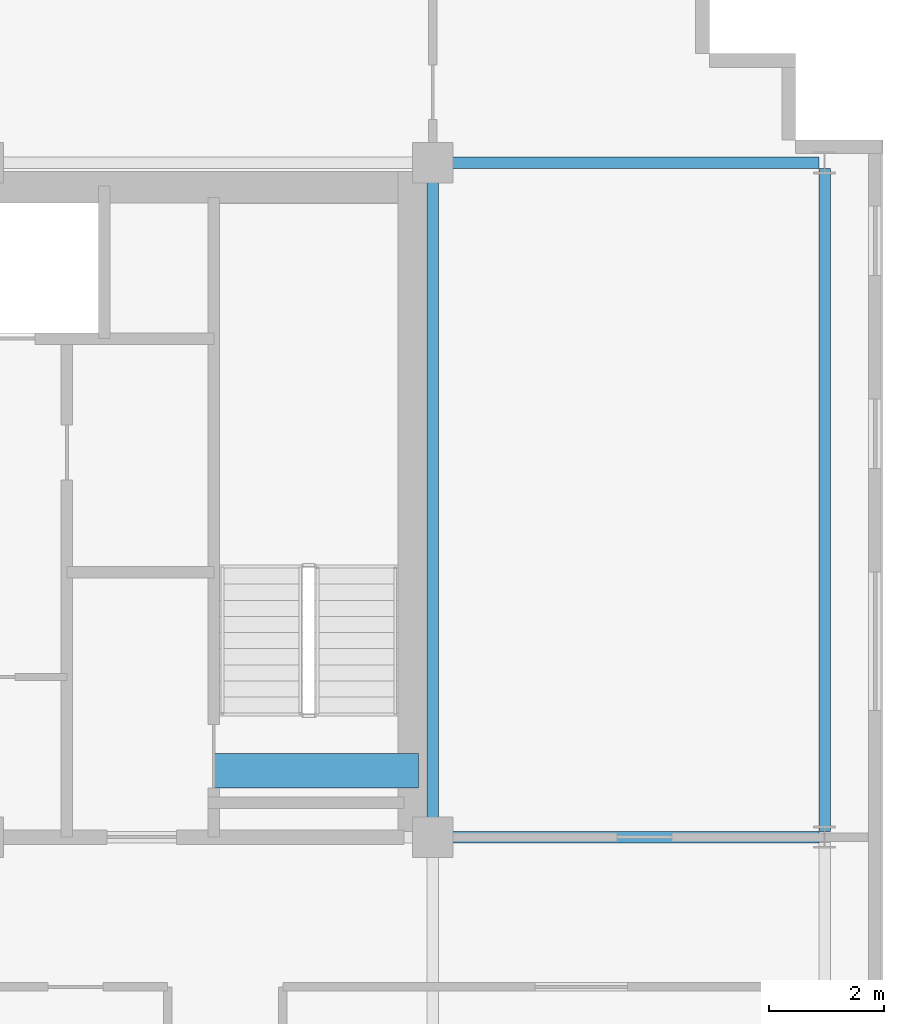
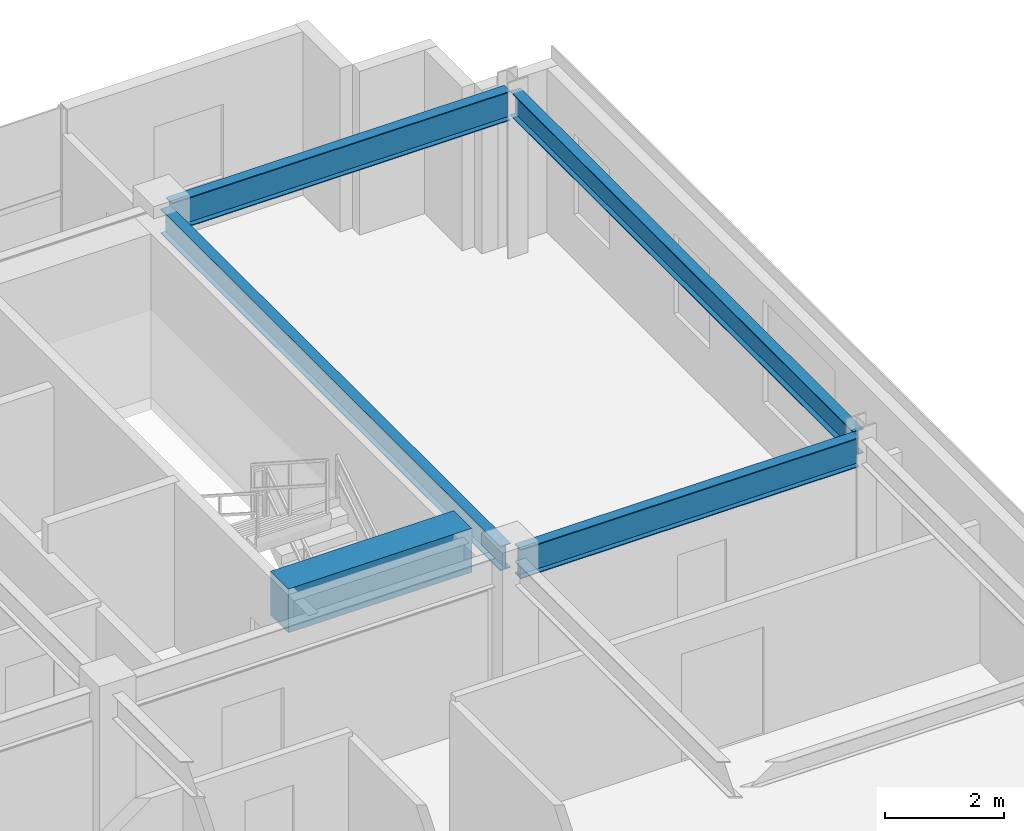
# One storey, part 11 of 20: 5 beams.
"""IFC4 building model written with IfcOpenShell, lengths in metres."""

from ifc_helpers import new_model, si_unit, direction, frame, origin, origin_2d, place, context, subcontext, project, spatial, rectangle, i_section, extrude, source, transform, mapped, material, material_profile, profile_set, type_object, element, save


model = new_model("IFC4")

# Units and contexts
model_context = context("Model", 3, precision=1e-05, world=origin(), true_north=direction((0.0, 1.0)))
body_context = subcontext(model_context, "Body", "Model", "MODEL_VIEW")
ifc_project = project(units=[si_unit("LENGTHUNIT", "METRE"), si_unit("AREAUNIT", "SQUARE_METRE"), si_unit("VOLUMEUNIT", "CUBIC_METRE"), si_unit("PLANEANGLEUNIT", "RADIAN"), si_unit("MASSUNIT", "GRAM", prefix="KILO")], contexts=[model_context])

# Site, building, storey
site_placement = place(None, origin())
site = spatial("IfcSite", under=ifc_project, at=site_placement, CompositionType="ELEMENT")
building_placement = place(site_placement, origin())
building = spatial("IfcBuilding", under=site, at=building_placement, Name="Trelvane Seafront Commons", CompositionType="ELEMENT")
storey_placement = place(building_placement, frame((0.0, 0.0, 171.699951171875)))
storey = spatial("IfcBuildingStorey", under=building, at=storey_placement, Name="L45", CompositionType="ELEMENT", Elevation=171.699951171875)

# Beams
ifc_material_1 = material(Name="Concrete C60/75", Category="concrete")
ifc_material_profile_1 = material_profile(ifc_material_1, rectangle(XDim=0.60009765625, YDim=0.89990234375, at=origin_2d()), Name="RC-600x900")
ifc_profile_set_1 = profile_set([ifc_material_profile_1], Name="Concrete C60/75")
beam_type_1 = type_object("IfcBeamType", Name="STR-LNT-RC600x900", PredefinedType="LINTEL", material=ifc_profile_set_1)
shared_shape_1 = source(origin(), body_context, "Body", "SweptSolid", [
    extrude(rectangle(XDim=0.60009765625, YDim=0.89990234375, at=origin_2d()), origin(), (0.0, 0.0, 1.0), 3.550048828125),
])
beam_1_placement = place(storey_placement, frame((55.0, 34.550048828125, 2.900146484375), z_axis=(1.0, 0.0, 0.0), x_axis=(0.0, 1.0, 0.0)))
element("IfcBeam", 1, at=beam_1_placement, inside=storey, type_object=beam_type_1, Name="L45 Core Coupling Lintel Beam CB-66", PredefinedType="LINTEL", context=body_context, shape_type="MappedRepresentation", body=[
    mapped(shared_shape_1, transform((0.0, 0.0, 0.0), x_axis=(1.0, 0.0, 0.0), y_axis=(0.0, 1.0, 0.0), z_axis=(0.0, 0.0, 1.0), scale=1.0)),
])
ifc_material_2 = material(Name="Steel SM355 (S355)", Category="steel")
ifc_material_profile_2 = material_profile(ifc_material_2, i_section(OverallWidth=0.199951171875, OverallDepth=0.5, WebThickness=0.010009765625, FlangeThickness=0.01611328125, at=origin_2d()), Name="H-500x200x10x16")
ifc_profile_set_2 = profile_set([ifc_material_profile_2], Name="Steel SM355 (S355)")
beam_type_2 = type_object("IfcBeamType", Name="STR-BM-H500", PredefinedType="BEAM", material=ifc_profile_set_2)
shared_shape_2 = source(origin(), body_context, "Body", "SweptSolid", [
    extrude(i_section(OverallWidth=0.199951171875, OverallDepth=0.5, WebThickness=0.010009765625, FlangeThickness=0.01611328125, at=origin_2d()), origin(), (0.0, 0.0, 1.0), 11.39990234375),
])
beam_2_placement = place(storey_placement, frame((58.800048828125, 33.550048828125, 3.10009765625), z_axis=(0.0, 1.0, 0.0), x_axis=(-1.0, 0.0, 0.0)))
element("IfcBeam", 2, at=beam_2_placement, inside=storey, type_object=beam_type_2, Name="L45 Primary Girder G-49", PredefinedType="BEAM", context=body_context, shape_type="MappedRepresentation", body=[
    mapped(shared_shape_2, transform((0.0, 0.0, 0.0), x_axis=(1.0, 0.0, 0.0), y_axis=(0.0, 1.0, 0.0), z_axis=(0.0, 0.0, 1.0), scale=1.0)),
])
ifc_material_profile_3 = material_profile(ifc_material_2, i_section(OverallWidth=0.199951171875, OverallDepth=0.60009765625, WebThickness=0.010986328125, FlangeThickness=0.01708984375, at=origin_2d()), Name="H-600x200x11x17")
ifc_profile_set_3 = profile_set([ifc_material_profile_3], Name="Steel SM355 (S355)")
beam_type_3 = type_object("IfcBeamType", Name="STR-SPD-H600", PredefinedType="SPANDREL", material=ifc_profile_set_3)
shared_shape_3 = source(origin(), body_context, "Body", "SweptSolid", [
    extrude(i_section(OverallWidth=0.199951171875, OverallDepth=0.60009765625, WebThickness=0.010986328125, FlangeThickness=0.01708984375, at=origin_2d()), origin(), (0.0, 0.0, 1.0), 6.554931640625),
])
for number, where, z_axis, x_axis, name in (
    (3, (58.949951171875, 33.39990234375, 3.050048828125), (1.0, 0.0, 0.0), (0.0, 1.0, 0.0), "L45 Primary Girder G-21"),
    (4, (58.949951171875, 45.10009765625, 3.050048828125), (1.0, 0.0, 0.0), (0.0, 1.0, 0.0), "L45 Primary Girder G-28"),
):
    element("IfcBeam", number, at=place(storey_placement, frame(where, z_axis=z_axis, x_axis=x_axis)), inside=storey, type_object=beam_type_3, Name=name, PredefinedType="SPANDREL", context=body_context, shape_type="MappedRepresentation", body=[
        mapped(shared_shape_3, transform((0.0, 0.0, 0.0), x_axis=(1.0, 0.0, 0.0), y_axis=(0.0, 1.0, 0.0), z_axis=(0.0, 0.0, 1.0), scale=1.0)),
    ])
shared_shape_4 = source(origin(), body_context, "Body", "SweptSolid", [
    extrude(i_section(OverallWidth=0.199951171875, OverallDepth=0.5, WebThickness=0.010009765625, FlangeThickness=0.01611328125, at=origin_2d()), origin(), (0.0, 0.0, 1.0), 11.509765625),
])
beam_3_placement = place(storey_placement, frame((65.60009765625, 33.4951171875, 3.10009765625), z_axis=(0.0, 1.0, 0.0), x_axis=(-1.0, 0.0, 0.0)))
element("IfcBeam", 5, at=beam_3_placement, inside=storey, type_object=beam_type_2, Name="L45 Primary Girder G-52", PredefinedType="BEAM", context=body_context, shape_type="MappedRepresentation", body=[
    mapped(shared_shape_4, transform((0.0, 0.0, 0.0), x_axis=(1.0, 0.0, 0.0), y_axis=(0.0, 1.0, 0.0), z_axis=(0.0, 0.0, 1.0), scale=1.0)),
])

save(model, "model.ifc")
